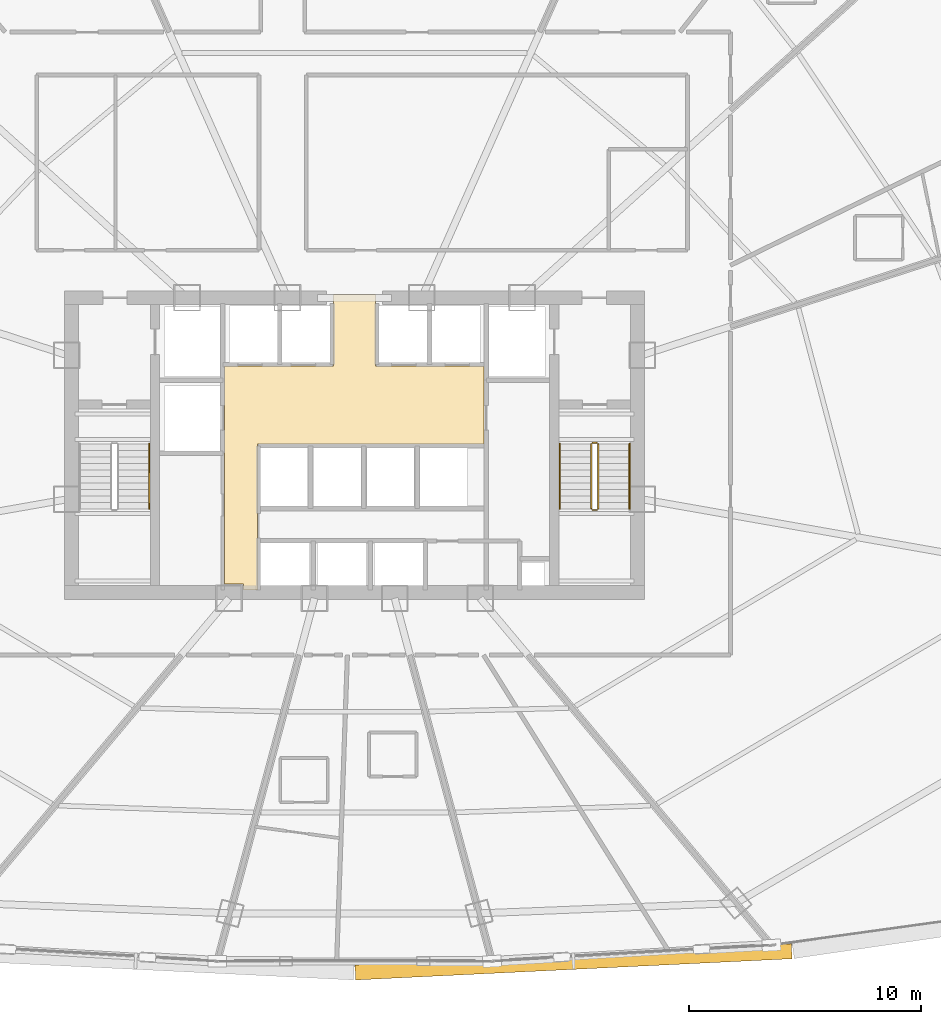
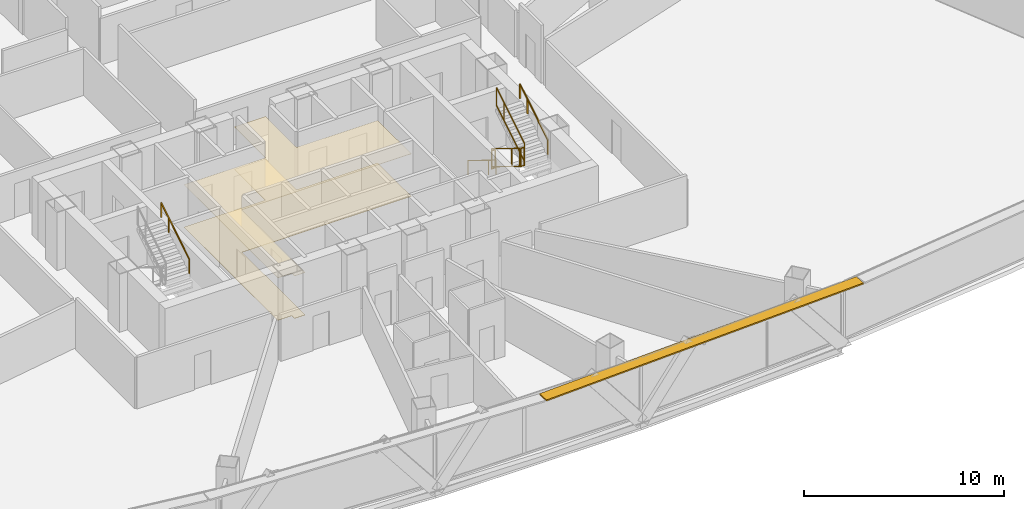
# One storey, part 36 of 38: 7 railings, 2 coverings, 1 shading device.
"""IFC4 building model written with IfcOpenShell, lengths in metres."""

from ifc_helpers import new_model, si_unit, direction, frame, origin, origin_2d, place, context, subcontext, project, spatial, polyline, rectangle, outline, extrude, source, transform, mapped, material, layer, layer_set, type_object, element, save


model = new_model("IFC4")

# Units and contexts
model_context = context("Model", 3, precision=1e-05, world=origin(), true_north=direction((0.0, 1.0)))
body_context = subcontext(model_context, "Body", "Model", "MODEL_VIEW")
ifc_project = project(units=[si_unit("LENGTHUNIT", "METRE"), si_unit("AREAUNIT", "SQUARE_METRE"), si_unit("VOLUMEUNIT", "CUBIC_METRE"), si_unit("PLANEANGLEUNIT", "RADIAN"), si_unit("MASSUNIT", "GRAM", prefix="KILO"), si_unit("THERMODYNAMICTEMPERATUREUNIT", "KELVIN"), si_unit("POWERUNIT", "WATT")], contexts=[model_context])

# Site, building, storey
site_placement = place(None, origin())
site = spatial("IfcSite", under=ifc_project, at=site_placement, CompositionType="ELEMENT")
building_placement = place(site_placement, origin())
building = spatial("IfcBuilding", under=site, at=building_placement, Name="Yunzhuo Pagoda Commons", CompositionType="ELEMENT")
storey_placement = place(building_placement, frame((0.0, 0.0, 81.179931640625)))
storey = spatial("IfcBuildingStorey", under=building, at=storey_placement, Name="L20", CompositionType="ELEMENT", Elevation=81.179931640625)

# Coverings
ifc_material_1 = material(Name="Mineral fibre acoustic ceiling board")
ifc_layer_1 = layer(ifc_material_1, 0.02490234375)
ifc_layer_set_1 = layer_set([ifc_layer_1], Name="Mineral fibre acoustic ceiling board")
covering_type_1 = type_object("IfcCoveringType", Name="COV-CL1 Ceiling 25", PredefinedType="CEILING", material=ifc_layer_set_1)
covering_1_placement = place(storey_placement, frame((0.0, 0.0, 2.590087890625)))
element("IfcCovering", 1, at=covering_1_placement, inside=storey, type_object=covering_type_1, Name="L20 lift lobby acoustic ceiling", PredefinedType="CEILING", context=body_context, shape_type="SweptSolid", body=[
    extrude(outline(polyline([(43.207763671875, 27.85009765625), (43.201904296875, 27.864013671875), (43.187744140625, 27.8701171875), (42.39990234375, 27.8701171875), (42.39990234375, 33.89990234375), (42.39990234375, 37.25), (47.10009765625, 37.25), (47.10009765625, 40.35009765625), (48.89990234375, 40.35009765625), (48.89990234375, 37.25), (53.580078125, 37.25), (53.580078125, 33.89990234375), (43.820068359375, 33.89990234375), (43.820068359375, 27.60009765625), (43.207763671875, 27.60009765625), (43.207763671875, 27.85009765625)])), origin(), (0.0, 0.0, 1.0), 0.02490234375),
])
ifc_material_2 = material(Name="Porcelain ceramic floor tile")
ifc_layer_2 = layer(ifc_material_2, 0.02001953125)
ifc_layer_set_2 = layer_set([ifc_layer_2], Name="Porcelain ceramic floor tile")
covering_type_2 = type_object("IfcCoveringType", Name="COV-FL1 Flooring 20", PredefinedType="FLOORING", material=ifc_layer_set_2)
covering_2_placement = place(storey_placement, origin())
element("IfcCovering", 2, at=covering_2_placement, inside=storey, type_object=covering_type_2, Name="L20 lift lobby flooring", PredefinedType="FLOORING", context=body_context, shape_type="SweptSolid", body=[
    extrude(outline(polyline([(43.207763671875, 27.85009765625), (43.201904296875, 27.864013671875), (43.187744140625, 27.8701171875), (42.39990234375, 27.8701171875), (42.39990234375, 33.89990234375), (42.39990234375, 37.25), (47.10009765625, 37.25), (47.10009765625, 40.35009765625), (48.89990234375, 40.35009765625), (48.89990234375, 37.25), (53.580078125, 37.25), (53.580078125, 33.89990234375), (43.820068359375, 33.89990234375), (43.820068359375, 27.60009765625), (43.207763671875, 27.60009765625), (43.207763671875, 27.85009765625)])), origin(), (0.0, 0.0, 1.0), 0.02001953125),
])

# Railings
ifc_material_3 = material(Name="Anodized aluminium 6063-T6", Category="aluminium")
railing_type_1 = type_object("IfcRailingType", Name="GR-ST2 Stair Well Guardrail 1160", PredefinedType="GUARDRAIL", material=ifc_material_3)
railing_1_placement = place(storey_placement, frame((58.199951171875, 33.89990234375, 0.1728515625)))
element("IfcRailing", 3, at=railing_1_placement, inside=storey, type_object=railing_type_1, Name="L20 ST2 stair guard 1", PredefinedType="GUARDRAIL", context=body_context, shape_type="SweptSolid", body=[
    extrude(rectangle(XDim=0.048095703125, YDim=0.048095703125, at=origin_2d()), frame((0.0, 0.0, 1.1259765625), z_axis=(0.0, -0.851069175582, 0.525053576669), x_axis=(1.0, 0.0, 0.0)), (0.0, 0.0, 1.0), 3.289794921875),
    extrude(rectangle(XDim=0.048095703125, YDim=0.048095703125, at=origin_2d()), frame((0.0, 0.0, 0.02392578125), z_axis=(0.0, -0.851069175582, 0.525053576669), x_axis=(1.0, 0.0, 0.0)), (0.0, 0.0, 1.0), 3.289794921875),
    extrude(rectangle(XDim=0.0419921875, YDim=0.0419921875, at=origin_2d()), origin(), (0.0, 0.0, 1.0), 1.101806640625),
    extrude(rectangle(XDim=0.0419921875, YDim=0.0419921875, at=origin_2d()), frame((0.0, -2.04248046875, 1.260009765625)), (0.0, 0.0, 1.0), 1.101806640625),
    extrude(rectangle(XDim=0.0419921875, YDim=0.0419921875, at=origin_2d()), frame((0.0, -2.7998046875, 1.727294921875)), (0.0, 0.0, 1.0), 1.101806640625),
])
railing_2_placement = place(storey_placement, frame((58.25, 31.050048828125, 1.900146484375)))
element("IfcRailing", 4, at=railing_2_placement, inside=storey, type_object=railing_type_1, Name="L20 ST2 stair guard 2", PredefinedType="GUARDRAIL", context=body_context, shape_type="SweptSolid", body=[
    extrude(rectangle(XDim=0.048095703125, YDim=0.048095703125, at=origin_2d()), frame((0.0, 0.0, 1.1259765625), z_axis=(1.0, 0.0, 0.0), x_axis=(0.0, 1.0, 0.0)), (0.0, 0.0, 1.0), 0.199951171875),
    extrude(rectangle(XDim=0.048095703125, YDim=0.048095703125, at=origin_2d()), frame((0.0, 0.0, 0.02392578125), z_axis=(1.0, 0.0, 0.0), x_axis=(0.0, 1.0, 0.0)), (0.0, 0.0, 1.0), 0.199951171875),
    extrude(rectangle(XDim=0.0419921875, YDim=0.0419921875, at=origin_2d()), origin(), (0.0, 0.0, 1.0), 1.101806640625),
    extrude(rectangle(XDim=0.0419921875, YDim=0.0419921875, at=origin_2d()), frame((0.199951171875, 0.0, 0.0)), (0.0, 0.0, 1.0), 1.101806640625),
])
railing_3_placement = place(storey_placement, frame((58.5, 31.10009765625, 2.07275390625)))
element("IfcRailing", 5, at=railing_3_placement, inside=storey, type_object=railing_type_1, Name="L20 ST2 stair guard 3", PredefinedType="GUARDRAIL", context=body_context, shape_type="SweptSolid", body=[
    extrude(rectangle(XDim=0.048095703125, YDim=0.048095703125, at=origin_2d()), frame((0.0, 0.0, 1.1259765625), z_axis=(0.0, 0.851069175582, 0.525053576669), x_axis=(-1.0, 0.0, 0.0)), (0.0, 0.0, 1.0), 3.289794921875),
    extrude(rectangle(XDim=0.048095703125, YDim=0.048095703125, at=origin_2d()), frame((0.0, 0.0, 0.02392578125), z_axis=(0.0, 0.851069175582, 0.525053576669), x_axis=(-1.0, 0.0, 0.0)), (0.0, 0.0, 1.0), 3.289794921875),
    extrude(rectangle(XDim=0.0419921875, YDim=0.0419921875, at=origin_2d()), origin(), (0.0, 0.0, 1.0), 1.101806640625),
    extrude(rectangle(XDim=0.0419921875, YDim=0.0419921875, at=origin_2d()), frame((0.0, 2.04248046875, 1.260009765625)), (0.0, 0.0, 1.0), 1.101806640625),
    extrude(rectangle(XDim=0.0419921875, YDim=0.0419921875, at=origin_2d()), frame((0.0, 2.7998046875, 1.727294921875)), (0.0, 0.0, 1.0), 1.101806640625),
])
railing_4_placement = place(storey_placement, frame((58.25, 33.949951171875, 0.0)))
element("IfcRailing", 6, at=railing_4_placement, inside=storey, type_object=railing_type_1, Name="L20 ST2 stair guard 4", PredefinedType="GUARDRAIL", context=body_context, shape_type="SweptSolid", body=[
    extrude(rectangle(XDim=0.048095703125, YDim=0.048095703125, at=origin_2d()), frame((0.0, 0.0, 1.1259765625), z_axis=(1.0, 0.0, 0.0), x_axis=(0.0, 1.0, 0.0)), (0.0, 0.0, 1.0), 0.199951171875),
    extrude(rectangle(XDim=0.048095703125, YDim=0.048095703125, at=origin_2d()), frame((0.0, 0.0, 0.02392578125), z_axis=(1.0, 0.0, 0.0), x_axis=(0.0, 1.0, 0.0)), (0.0, 0.0, 1.0), 0.199951171875),
    extrude(rectangle(XDim=0.0419921875, YDim=0.0419921875, at=origin_2d()), origin(), (0.0, 0.0, 1.0), 1.101806640625),
    extrude(rectangle(XDim=0.0419921875, YDim=0.0419921875, at=origin_2d()), frame((0.199951171875, 0.0, 0.0)), (0.0, 0.0, 1.0), 1.101806640625),
])
railing_type_2 = type_object("IfcRailingType", Name="HR-ST1 Stair Handrail 900", PredefinedType="HANDRAIL", material=ifc_material_3)
railing_5_placement = place(storey_placement, frame((39.14990234375, 31.10009765625, 2.07275390625)))
element("IfcRailing", 7, at=railing_5_placement, inside=storey, type_object=railing_type_2, Name="L20 ST1 stair handrail 2", PredefinedType="HANDRAIL", context=body_context, shape_type="SweptSolid", body=[
    extrude(rectangle(XDim=0.048095703125, YDim=0.048095703125, at=origin_2d()), frame((0.0, 0.0, 0.8759765625), z_axis=(0.0, 0.851069175582, 0.525053576669), x_axis=(-1.0, 0.0, 0.0)), (0.0, 0.0, 1.0), 3.289794921875),
    extrude(rectangle(XDim=0.0419921875, YDim=0.0419921875, at=origin_2d()), origin(), (0.0, 0.0, 1.0), 0.851806640625),
    extrude(rectangle(XDim=0.0419921875, YDim=0.0419921875, at=origin_2d()), frame((0.0, 2.04248046875, 1.260009765625)), (0.0, 0.0, 1.0), 0.851806640625),
    extrude(rectangle(XDim=0.0419921875, YDim=0.0419921875, at=origin_2d()), frame((0.0, 2.7998046875, 1.727294921875)), (0.0, 0.0, 1.0), 0.851806640625),
])
railing_type_3 = type_object("IfcRailingType", Name="HR-ST2 Stair Handrail 900", PredefinedType="HANDRAIL", material=ifc_material_3)
railing_6_placement = place(storey_placement, frame((56.85009765625, 33.89990234375, 0.1728515625)))
element("IfcRailing", 8, at=railing_6_placement, inside=storey, type_object=railing_type_3, Name="L20 ST2 stair handrail 1", PredefinedType="HANDRAIL", context=body_context, shape_type="SweptSolid", body=[
    extrude(rectangle(XDim=0.048095703125, YDim=0.048095703125, at=origin_2d()), frame((0.0, 0.0, 0.8759765625), z_axis=(0.0, -0.851069175582, 0.525053576669), x_axis=(1.0, 0.0, 0.0)), (0.0, 0.0, 1.0), 3.289794921875),
    extrude(rectangle(XDim=0.0419921875, YDim=0.0419921875, at=origin_2d()), origin(), (0.0, 0.0, 1.0), 0.851806640625),
    extrude(rectangle(XDim=0.0419921875, YDim=0.0419921875, at=origin_2d()), frame((0.0, -2.04248046875, 1.260009765625)), (0.0, 0.0, 1.0), 0.851806640625),
    extrude(rectangle(XDim=0.0419921875, YDim=0.0419921875, at=origin_2d()), frame((0.0, -2.7998046875, 1.727294921875)), (0.0, 0.0, 1.0), 0.851806640625),
])
railing_7_placement = place(storey_placement, frame((59.85009765625, 31.10009765625, 2.07275390625)))
element("IfcRailing", 9, at=railing_7_placement, inside=storey, type_object=railing_type_3, Name="L20 ST2 stair handrail 2", PredefinedType="HANDRAIL", context=body_context, shape_type="SweptSolid", body=[
    extrude(rectangle(XDim=0.048095703125, YDim=0.048095703125, at=origin_2d()), frame((0.0, 0.0, 0.8759765625), z_axis=(0.0, 0.851069175582, 0.525053576669), x_axis=(-1.0, 0.0, 0.0)), (0.0, 0.0, 1.0), 3.289794921875),
    extrude(rectangle(XDim=0.0419921875, YDim=0.0419921875, at=origin_2d()), origin(), (0.0, 0.0, 1.0), 0.851806640625),
    extrude(rectangle(XDim=0.0419921875, YDim=0.0419921875, at=origin_2d()), frame((0.0, 2.04248046875, 1.260009765625)), (0.0, 0.0, 1.0), 0.851806640625),
    extrude(rectangle(XDim=0.0419921875, YDim=0.0419921875, at=origin_2d()), frame((0.0, 2.7998046875, 1.727294921875)), (0.0, 0.0, 1.0), 0.851806640625),
])

# Shading device
ifc_layer_3 = layer(ifc_material_3, 0.080078125)
ifc_layer_set_3 = layer_set([ifc_layer_3], Name="Anodized aluminium 6063-T6")
shading_device_type = type_object("IfcShadingDeviceType", Name="SH-SUN1 Pagoda Horizontal Sunshade Eave 650", PredefinedType="USERDEFINED", material=ifc_layer_set_3)
shared_shape = source(origin(), body_context, "Body", "SweptSolid", [
    extrude(rectangle(XDim=18.830810546875, YDim=0.64990234375, at=origin_2d()), origin(), (0.0, 0.0, 1.0), 0.080078125),
])
shading_device_placement = place(storey_placement, frame((57.43603515625, 11.57861328125, 3.4599609375), z_axis=(0.0, 0.0, 1.0), x_axis=(0.998818043775, 0.04860571396, 0.0)))
element("IfcShadingDevice", 10, at=shading_device_placement, inside=storey, type_object=shading_device_type, Name="L20 horizontal pagoda sunshade eave F1.3", ObjectType="SUNSHADE", PredefinedType="USERDEFINED", context=body_context, shape_type="MappedRepresentation", body=[
    mapped(shared_shape, transform((0.0, 0.0, 0.0), scale=1.0)),
])

save(model, "model.ifc")
